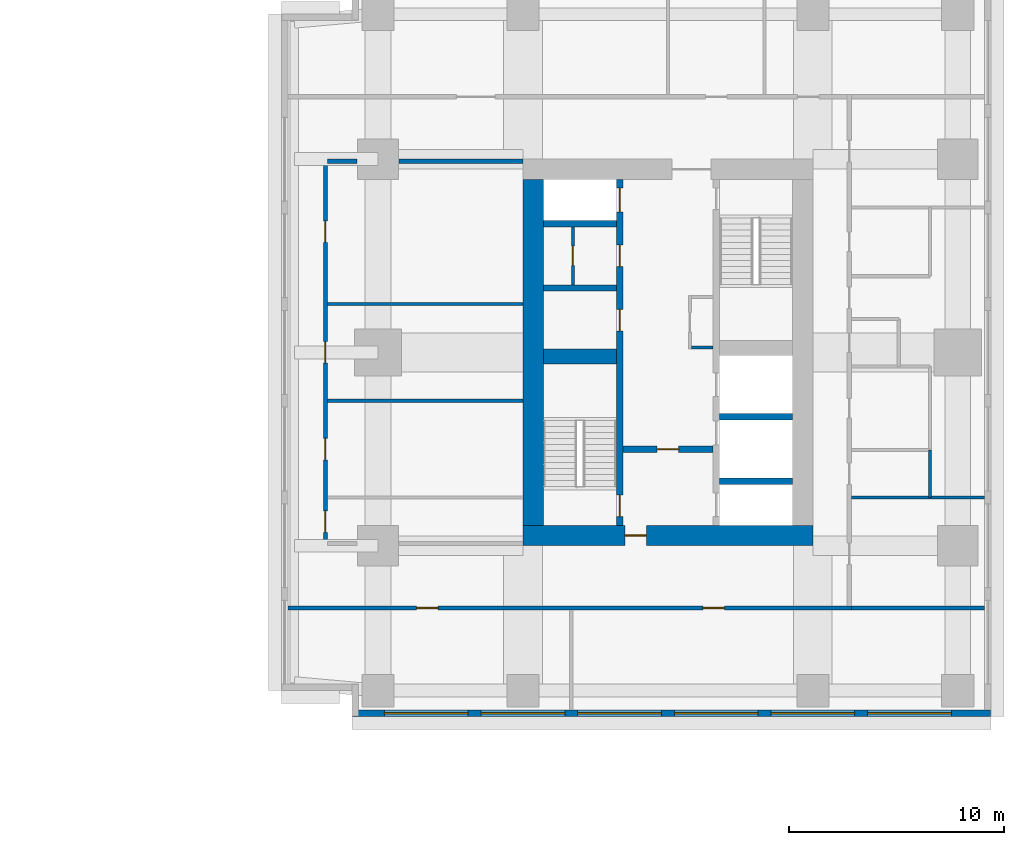
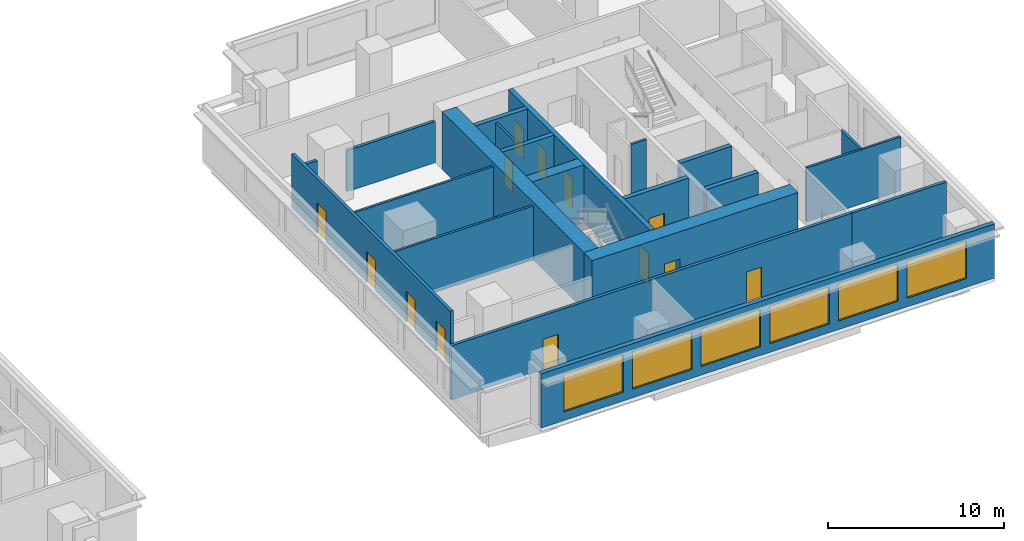
# One storey, part 6 of 10: 21 walls, 13 doors, 6 windows, 19 openings.
"""IFC4 building model written with IfcOpenShell, lengths in metres."""

import ifcopenshell
import ifcopenshell.guid

model = None  # the IFC model being written
_history = None  # IfcOwnerHistory: only IFC2X3 demands one
_inside = {}  # id of a spatial element -> (the spatial element, [elements in it])
_under = {}  # id of a project, library or spatial element -> (it, [spatial elements below it])
_declared = {}  # id of a project -> (the project, [libraries it declares])
_typed = {}  # id of a type object -> (the type object, [elements of that type])
_made_of = {}  # id of a material, layer set ... -> (it, [elements and type objects made of it])


def new_model(schema):
    """Start an empty IFC model of exactly this schema.

    Asked for "IFC4X3", IfcOpenShell would pick the latest addendum, in which some entities
    have other attributes; the version numbers below select the first issue.
    IFC2X3 requires an IfcOwnerHistory on every rooted entity: one is made here for all.
    """
    global model, _history
    if schema == "IFC4X3":
        model = ifcopenshell.file(schema_version=(4, 3, 0, 0))
    else:
        model = ifcopenshell.file(schema=schema)
    _inside.clear()
    _under.clear()
    _declared.clear()
    _typed.clear()
    _made_of.clear()
    _history = None
    if model.schema == "IFC2X3":
        org = make("IfcOrganization", Name="unknown")
        user = make(
            "IfcPersonAndOrganization",
            ThePerson=make("IfcPerson", FamilyName="unknown"),
            TheOrganization=org,
        )
        app = make(
            "IfcApplication",
            ApplicationDeveloper=org,
            Version="unknown",
            ApplicationFullName="unknown",
            ApplicationIdentifier="unknown",
        )
        _history = make(
            "IfcOwnerHistory",
            OwningUser=user,
            OwningApplication=app,
            ChangeAction="ADDED",
            CreationDate=0,
        )
    return model


def make(cls, **values):
    """One entity of the class cls with the attributes given. An attribute that is None is left unset."""
    return model.create_entity(
        cls, **{name: value for name, value in values.items() if value is not None}
    )


def rooted(cls, **values):
    """An entity with a GlobalId (a new one), such as an element, a storey or a relation."""
    return make(cls, GlobalId=ifcopenshell.guid.new(), OwnerHistory=_history, **values)


def si_unit(unit_type, name, prefix=None):
    """IfcSIUnit, for example si_unit("LENGTHUNIT", "METRE", prefix="MILLI")."""
    return make("IfcSIUnit", UnitType=unit_type, Prefix=prefix, Name=name)


def assignment(units):
    """IfcUnitAssignment: the units of a project."""
    return None if units is None else make("IfcUnitAssignment", Units=units)


def point(xyz):
    """IfcCartesianPoint."""
    return None if xyz is None else make("IfcCartesianPoint", Coordinates=xyz)


def direction(xyz):
    """IfcDirection."""
    return None if xyz is None else make("IfcDirection", DirectionRatios=xyz)


def frame(location, z_axis=None, x_axis=None):
    """IfcAxis2Placement3D, a coordinate frame: its origin and axes. An axis left out is left unset."""
    return make(
        "IfcAxis2Placement3D",
        Location=point(location),
        Axis=direction(z_axis),
        RefDirection=direction(x_axis),
    )


def frame_2d(location, x_axis=None):
    """IfcAxis2Placement2D, a coordinate frame in the plane: its origin and x axis."""
    return make(
        "IfcAxis2Placement2D", Location=point(location), RefDirection=direction(x_axis)
    )


def origin():
    """The frame at (0, 0, 0) with its axes left unset."""
    return frame((0.0, 0.0, 0.0))


def place(relative_to, where):
    """IfcLocalPlacement: puts the frame where relative to a parent placement (None: the world)."""
    return make(
        "IfcLocalPlacement", PlacementRelTo=relative_to, RelativePlacement=where
    )


def context(
    kind, dimensions, precision=None, world=None, true_north=None, identifier=None
):
    """IfcGeometricRepresentationContext, for example the 3D "Model" context."""
    return make(
        "IfcGeometricRepresentationContext",
        ContextIdentifier=identifier,
        ContextType=kind,
        CoordinateSpaceDimension=dimensions,
        Precision=precision,
        WorldCoordinateSystem=world,
        TrueNorth=true_north,
    )


def subcontext(parent, identifier, kind, view, scale=None):
    """IfcGeometricRepresentationSubContext, for example "Body" below "Model"."""
    return make(
        "IfcGeometricRepresentationSubContext",
        ContextIdentifier=identifier,
        ContextType=kind,
        ParentContext=parent,
        TargetScale=scale,
        TargetView=view,
    )


def project(units=None, contexts=None):
    """IfcProject with its units and contexts."""
    return rooted(
        "IfcProject",
        Name="project",
        RepresentationContexts=contexts,
        UnitsInContext=assignment(units),
    )


def spatial(cls, under=None, at=None, **own):
    """A site, building, storey or space (cls), placed at a placement, below another one or the project."""
    s = rooted(cls, ObjectPlacement=at, **own)
    if under is not None:
        _under.setdefault(under.id(), (under, []))[1].append(s)
    return s


def profile(cls, at=None, kind="AREA", **sizes):
    """A parametric profile (cls). Its sizes go by their IFC names, for example OverallWidth=200.0."""
    return make(cls, ProfileType=kind, Position=at, **sizes)


def rectangle(**sizes):
    """IfcRectangleProfileDef."""
    return profile("IfcRectangleProfileDef", **sizes)


def extrude(swept, where, along, depth):
    """IfcExtrudedAreaSolid: the profile swept, set in the frame where, extruded along a direction by depth."""
    return make(
        "IfcExtrudedAreaSolid",
        SweptArea=swept,
        Position=where,
        ExtrudedDirection=direction(along),
        Depth=depth,
    )


def shape(context_of_items, identifier, shape_type, items):
    """IfcShapeRepresentation: the items that make up one representation, for example the "Body"."""
    return make(
        "IfcShapeRepresentation",
        ContextOfItems=context_of_items,
        RepresentationIdentifier=identifier,
        RepresentationType=shape_type,
        Items=items,
    )


def material(Name=None, Category=None):
    """IfcMaterial."""
    return make("IfcMaterial", Name=Name, Category=Category)


def layer(
    of_material, thickness, ventilated=None, Name=None, Category=None, Priority=None
):
    """IfcMaterialLayer: one layer of a wall or slab, of a material (None: an air gap)."""
    return make(
        "IfcMaterialLayer",
        Material=of_material,
        LayerThickness=thickness,
        IsVentilated=ventilated,
        Name=Name,
        Category=Category,
        Priority=Priority,
    )


def layer_set(layers, Name=None):
    """IfcMaterialLayerSet."""
    return make("IfcMaterialLayerSet", MaterialLayers=layers, LayerSetName=Name)


def made_of(thing, what):
    """Note that an element or type object is made of a material, layer set ...; save() writes the relation."""
    if what is not None:
        _made_of.setdefault(what.id(), (what, []))[1].append(thing)
    return thing


def type_object(cls, material=None, **own):
    """A type object (cls), such as IfcWallType, which elements share."""
    return made_of(rooted(cls, **own), material)


def element(
    cls,
    number,
    at=None,
    inside=None,
    cuts=None,
    type_object=None,
    material=None,
    context=None,
    identifier="Body",
    shape_type=None,
    held_by="IfcProductDefinitionShape",
    body=None,
    shapes=None,
    **own,
):
    """One element of the class cls, such as IfcWall. Its Tag is "e" and its number.

    at: its placement. inside: the storey or other place that contains it. cuts: it is an
    opening in that element (IfcRelVoidsElement). A single representation is given by context,
    identifier, shape_type and body (its items); several are given by shapes. held_by: the class
    of the entity that holds the representations. save() writes the other relations.
    """
    e = rooted(cls, Tag="e%d" % number, ObjectPlacement=at, **own)
    if body is not None:
        shapes = [shape(context, identifier, shape_type, body)]
    if shapes is not None:
        e.Representation = make(held_by, Representations=shapes)
    if inside is not None:
        _inside.setdefault(inside.id(), (inside, []))[1].append(e)
    if cuts is not None:
        rooted(
            "IfcRelVoidsElement", RelatingBuildingElement=cuts, RelatedOpeningElement=e
        )
    if type_object is not None:
        _typed.setdefault(type_object.id(), (type_object, []))[1].append(e)
    return made_of(e, material)


def fill(opening, filler):
    """IfcRelFillsElement: the door or window that sits in an opening."""
    return rooted(
        "IfcRelFillsElement",
        RelatingOpeningElement=opening,
        RelatedBuildingElement=filler,
    )


def aggregate(whole, parts):
    """IfcRelAggregates: a whole, such as a stair, and the parts it consists of."""
    return rooted("IfcRelAggregates", RelatingObject=whole, RelatedObjects=parts)


def save(model, path):
    """Write the relations noted so far, then the file.

    IfcRelAggregates (storeys below a building ...), IfcRelContainedInSpatialStructure (elements
    in a storey), IfcRelDefinesByType, IfcRelAssociatesMaterial and IfcRelDeclares: one each for
    every whole, place, type object, material and project.
    """
    for whole, parts in _under.values():
        aggregate(whole, parts)
    for where, things in _inside.values():
        rooted(
            "IfcRelContainedInSpatialStructure",
            RelatedElements=things,
            RelatingStructure=where,
        )
    for kind, things in _typed.values():
        rooted("IfcRelDefinesByType", RelatedObjects=things, RelatingType=kind)
    for what, things in _made_of.values():
        rooted("IfcRelAssociatesMaterial", RelatedObjects=things, RelatingMaterial=what)
    for by, libraries in _declared.values():
        rooted("IfcRelDeclares", RelatingContext=by, RelatedDefinitions=libraries)
    model.write(path)


model = new_model("IFC4")

# Units and contexts
model_context = context("Model", 3, precision=1e-05, world=origin(), true_north=direction((0.0, 1.0)))
body_context = subcontext(model_context, "Body", "Model", "MODEL_VIEW")
ifc_project = project(units=[si_unit("LENGTHUNIT", "METRE"), si_unit("AREAUNIT", "SQUARE_METRE"), si_unit("VOLUMEUNIT", "CUBIC_METRE"), si_unit("PLANEANGLEUNIT", "RADIAN"), si_unit("MASSUNIT", "GRAM", prefix="KILO")], contexts=[model_context])

# Site, building, storey
site_placement = place(None, origin())
site = spatial("IfcSite", under=ifc_project, at=site_placement, CompositionType="ELEMENT")
building_placement = place(site_placement, origin())
building = spatial("IfcBuilding", under=site, at=building_placement, Name="Namib Vertical Campus", CompositionType="ELEMENT")
storey_placement = place(building_placement, frame((0.0, 0.0, 149.0)))
storey = spatial("IfcBuildingStorey", under=building, at=storey_placement, Name="L35", CompositionType="ELEMENT", Elevation=149.0)

# Wall, openings, doors
ifc_material_1 = material(Name="Concrete C60/75", Category="concrete")
ifc_layer_1 = layer(ifc_material_1, 0.300048828125)
ifc_layer_set_1 = layer_set([ifc_layer_1], Name="Concrete C60/75")
wall_type_1 = type_object("IfcWallType", Name="Core inner wall 300", PredefinedType="SHEAR", material=ifc_layer_set_1)
wall_1_placement = place(storey_placement, frame((78.75, 12.199951171875, 0.0), z_axis=(0.0, 0.0, 1.0), x_axis=(0.0, 1.0, 0.0)))
wall_1 = element("IfcWall", 1, at=wall_1_placement, inside=storey, type_object=wall_type_1, Name="Core inner wall B L35 W1", PredefinedType="SHEAR", context=body_context, shape_type="SweptSolid", body=[
    extrude(rectangle(XDim=16.10009765625, YDim=0.300048828125, at=frame_2d((8.050048828125, 0.0))), origin(), (0.0, 0.0, 1.0), 4.0),
])
opening_1_placement = place(wall_1_placement, frame((0.39990234375, 0.0, 0.0)))
opening_1 = element("IfcOpeningElement", 2, at=opening_1_placement, cuts=wall_1, Name="Opening FD1", PredefinedType="OPENING", context=body_context, shape_type="SweptSolid", body=[
    extrude(rectangle(XDim=1.0, YDim=2.10009765625, at=frame_2d((0.5, 1.050048828125))), frame((0.0, 0.159912109375, 0.0), z_axis=(0.0, -1.0, 0.0), x_axis=(1.0, 0.0, 0.0)), (0.0, 0.0, 1.0), 0.320068359375),
])
opening_2_placement = place(wall_1_placement, frame((14.60009765625, 0.0, 0.0)))
opening_2 = element("IfcOpeningElement", 3, at=opening_2_placement, cuts=wall_1, Name="Opening LD1", PredefinedType="OPENING", context=body_context, shape_type="SweptSolid", body=[
    extrude(rectangle(XDim=1.10009765625, YDim=2.10009765625, at=frame_2d((0.550048828125, 1.050048828125))), frame((0.0, 0.159912109375, 0.0), z_axis=(0.0, -1.0, 0.0), x_axis=(1.0, 0.0, 0.0)), (0.0, 0.0, 1.0), 0.320068359375),
])
opening_3_placement = place(wall_1_placement, frame((9.050048828125, 0.0, 0.0)))
opening_3 = element("IfcOpeningElement", 4, at=opening_3_placement, cuts=wall_1, Name="Opening D1", PredefinedType="OPENING", context=body_context, shape_type="SweptSolid", body=[
    extrude(rectangle(XDim=1.0, YDim=2.10009765625, at=frame_2d((0.5, 1.050048828125))), frame((0.0, 0.159912109375, 0.0), z_axis=(0.0, -1.0, 0.0), x_axis=(1.0, 0.0, 0.0)), (0.0, 0.0, 1.0), 0.320068359375),
])
opening_4_placement = place(wall_1_placement, frame((12.050048828125, 0.0, 0.0)))
opening_4 = element("IfcOpeningElement", 5, at=opening_4_placement, cuts=wall_1, Name="Opening D1", PredefinedType="OPENING", context=body_context, shape_type="SweptSolid", body=[
    extrude(rectangle(XDim=1.0, YDim=2.10009765625, at=frame_2d((0.5, 1.050048828125))), frame((0.0, 0.159912109375, 0.0), z_axis=(0.0, -1.0, 0.0), x_axis=(1.0, 0.0, 0.0)), (0.0, 0.0, 1.0), 0.320068359375),
])
ifc_material_2 = material(Name="Timber door leaf", Category="wood")
door_type_1 = type_object("IfcDoorType", Name="Door single 1000x2100", OperationType="SINGLE_SWING_LEFT", PredefinedType="DOOR", material=ifc_material_2)
door_1_placement = place(opening_3_placement, origin())
door_1 = element("IfcDoor", 6, at=door_1_placement, inside=storey, type_object=door_type_1, Name="Door D1 Comms room B L35 P1", OperationType="SINGLE_SWING_LEFT", OverallHeight=2.10009765625, OverallWidth=1.0, PredefinedType="DOOR", context=body_context, shape_type="SweptSolid", body=[
    extrude(rectangle(XDim=1.0, YDim=2.10009765625, at=frame_2d((0.5, 1.050048828125))), frame((0.0, 0.02490234375, 0.0), z_axis=(0.0, -1.0, 0.0), x_axis=(1.0, 0.0, 0.0)), (0.0, 0.0, 1.0), 0.050048828125),
])
fill(opening_3, door_1)
door_2_placement = place(opening_4_placement, origin())
door_2 = element("IfcDoor", 7, at=door_2_placement, inside=storey, type_object=door_type_1, Name="Door D1 Store B L35 P2", OperationType="SINGLE_SWING_LEFT", OverallHeight=2.10009765625, OverallWidth=1.0, PredefinedType="DOOR", context=body_context, shape_type="SweptSolid", body=[
    extrude(rectangle(XDim=1.0, YDim=2.10009765625, at=frame_2d((0.5, 1.050048828125))), frame((0.0, 0.02490234375, 0.0), z_axis=(0.0, -1.0, 0.0), x_axis=(1.0, 0.0, 0.0)), (0.0, 0.0, 1.0), 0.050048828125),
])
fill(opening_4, door_2)
ifc_material_3 = material(Name="Steel fire door", Category="steel")
door_type_2 = type_object("IfcDoorType", Name="Fire door 1000x2100", OperationType="SINGLE_SWING_RIGHT", PredefinedType="DOOR", material=ifc_material_3)
door_3_placement = place(opening_1_placement, origin())
door_3 = element("IfcDoor", 8, at=door_3_placement, inside=storey, type_object=door_type_2, Name="Stair door FD1 B L35 S1", OperationType="SINGLE_SWING_LEFT", OverallHeight=2.10009765625, OverallWidth=1.0, PredefinedType="DOOR", context=body_context, shape_type="SweptSolid", body=[
    extrude(rectangle(XDim=1.0, YDim=2.10009765625, at=frame_2d((0.5, 1.050048828125))), frame((0.0, 0.02490234375, 0.0), z_axis=(0.0, -1.0, 0.0), x_axis=(1.0, 0.0, 0.0)), (0.0, 0.0, 1.0), 0.050048828125),
])
fill(opening_1, door_3)
ifc_material_4 = material(Name="Stainless steel lift door", Category="steel")
door_type_3 = type_object("IfcDoorType", Name="Lift landing door 1100x2100", OperationType="DOUBLE_DOOR_SLIDING", PredefinedType="DOOR", material=ifc_material_4)
door_4_placement = place(opening_2_placement, origin())
door_4 = element("IfcDoor", 9, at=door_4_placement, inside=storey, type_object=door_type_3, Name="Lift landing door LD1 B-P3 L35", OperationType="DOUBLE_DOOR_SLIDING", OverallHeight=2.10009765625, OverallWidth=1.10009765625, PredefinedType="DOOR", context=body_context, shape_type="SweptSolid", body=[
    extrude(rectangle(XDim=1.10009765625, YDim=2.10009765625, at=frame_2d((0.550048828125, 1.050048828125))), frame((0.0, 0.02490234375, 0.0), z_axis=(0.0, -1.0, 0.0), x_axis=(1.0, 0.0, 0.0)), (0.0, 0.0, 1.0), 0.050048828125),
])
fill(opening_2, door_4)

# Wall, opening, door
wall_2_placement = place(storey_placement, frame((78.89990234375, 15.75, 0.0), z_axis=(0.0, 0.0, 1.0), x_axis=(1.0, 0.0, 0.0)))
wall_2 = element("IfcWall", 10, at=wall_2_placement, inside=storey, type_object=wall_type_1, Name="Core inner wall B L35 W4", PredefinedType="SHEAR", context=body_context, shape_type="SweptSolid", body=[
    extrude(rectangle(XDim=4.2001953125, YDim=0.300048828125, at=frame_2d((2.10009765625, 0.0))), origin(), (0.0, 0.0, 1.0), 4.0),
])
opening_5_placement = place(wall_2_placement, frame((1.60009765625, 0.0, 0.0)))
opening_5 = element("IfcOpeningElement", 11, at=opening_5_placement, cuts=wall_2, Name="Opening FD5", PredefinedType="OPENING", context=body_context, shape_type="SweptSolid", body=[
    extrude(rectangle(XDim=1.0, YDim=2.10009765625, at=frame_2d((0.5, 1.050048828125))), frame((0.0, 0.159912109375, 0.0), z_axis=(0.0, -1.0, 0.0), x_axis=(1.0, 0.0, 0.0)), (0.0, 0.0, 1.0), 0.320068359375),
])
ifc_material_5 = material(Name="Steel fire door", Category="steel")
door_type_4 = type_object("IfcDoorType", Name="Fire door 1000x2100 120 min", OperationType="SINGLE_SWING_RIGHT", PredefinedType="DOOR", material=ifc_material_5)
door_5_placement = place(opening_5_placement, frame((1.0, 0.0, 0.0), z_axis=(0.0, 0.0, 1.0), x_axis=(-1.0, 0.0, 0.0)))
door_5 = element("IfcDoor", 12, at=door_5_placement, inside=storey, type_object=door_type_4, Name="Lobby door FD5 B L35", OperationType="SINGLE_SWING_RIGHT", OverallHeight=2.10009765625, OverallWidth=1.0, PredefinedType="DOOR", context=body_context, shape_type="SweptSolid", body=[
    extrude(rectangle(XDim=1.0, YDim=2.10009765625, at=frame_2d((0.5, 1.050048828125))), frame((0.0, 0.02490234375, 0.0), z_axis=(0.0, -1.0, 0.0), x_axis=(1.0, 0.0, 0.0)), (0.0, 0.0, 1.0), 0.050048828125),
])
fill(opening_5, door_5)

# Walls
for number, where, z_axis, x_axis, name in (
    (13, (83.39990234375, 14.25, 0.0), (0.0, 0.0, 1.0), (1.0, 0.0, 0.0), "Core inner wall B L35 W5"),
    (14, (83.39990234375, 17.25, 0.0), (0.0, 0.0, 1.0), (1.0, 0.0, 0.0), "Core inner wall B L35 W6"),
    (15, (75.199951171875, 23.25, 0.0), (0.0, 0.0, 1.0), (1.0, 0.0, 0.0), "Core inner wall B L35 W8"),
    (16, (75.199951171875, 26.25, 0.0), (0.0, 0.0, 1.0), (1.0, 0.0, 0.0), "Core inner wall B L35 W9"),
):
    element("IfcWall", number, at=place(storey_placement, frame(where, z_axis=z_axis, x_axis=x_axis)), inside=storey, type_object=wall_type_1, Name=name, PredefinedType="SHEAR", context=body_context, shape_type="SweptSolid", body=[
        extrude(rectangle(XDim=3.400146484375, YDim=0.300048828125, at=frame_2d((1.7001953125, 0.0))), origin(), (0.0, 0.0, 1.0), 4.0),
    ])
ifc_material_6 = material(Name="Concrete C60/75", Category="concrete")
ifc_layer_2 = layer(ifc_material_6, 0.699951171875)
ifc_layer_set_2 = layer_set([ifc_layer_2], Name="Concrete C60/75")
wall_type_2 = type_object("IfcWallType", Name="Core shear wall 700", PredefinedType="SHEAR", material=ifc_layer_set_2)
wall_3_placement = place(storey_placement, frame((75.199951171875, 20.050048828125, 0.0), z_axis=(0.0, 0.0, 1.0), x_axis=(1.0, 0.0, 0.0)))
element("IfcWall", 17, at=wall_3_placement, inside=storey, type_object=wall_type_2, Name="Core shear wall B L35 W3", PredefinedType="SHEAR", context=body_context, shape_type="SweptSolid", body=[
    extrude(rectangle(XDim=3.400146484375, YDim=0.699951171875, at=frame_2d((1.7001953125, 0.0))), origin(), (0.0, 0.0, 1.0), 4.0),
])

# Wall, opening, door
ifc_material_7 = material(Name="Concrete C60/75", Category="concrete")
ifc_layer_3 = layer(ifc_material_7, 0.949951171875)
ifc_layer_set_3 = layer_set([ifc_layer_3], Name="Concrete C60/75")
wall_type_3 = type_object("IfcWallType", Name="Core wall 950", PredefinedType="SHEAR", material=ifc_layer_set_3)
wall_4_placement = place(storey_placement, frame((74.25, 11.72509765625, 0.0), z_axis=(0.0, 0.0, 1.0), x_axis=(1.0, 0.0, 0.0)))
wall_4 = element("IfcWall", 18, at=wall_4_placement, inside=storey, type_object=wall_type_3, Name="Core wall B L35 1", PredefinedType="SHEAR", context=body_context, shape_type="SweptSolid", body=[
    extrude(rectangle(XDim=13.5, YDim=0.949951171875, at=frame_2d((6.75, 0.0))), origin(), (0.0, 0.0, 1.0), 4.0),
])
opening_6_placement = place(wall_4_placement, frame((4.75, 0.0, 0.0)))
opening_6 = element("IfcOpeningElement", 19, at=opening_6_placement, cuts=wall_4, Name="Opening FD5", PredefinedType="OPENING", context=body_context, shape_type="SweptSolid", body=[
    extrude(rectangle(XDim=1.0, YDim=2.10009765625, at=frame_2d((0.5, 1.050048828125))), frame((0.0, 0.48486328125, 0.0), z_axis=(0.0, -1.0, 0.0), x_axis=(1.0, 0.0, 0.0)), (0.0, 0.0, 1.0), 0.969970703125),
])
door_6_placement = place(opening_6_placement, origin())
door_6 = element("IfcDoor", 20, at=door_6_placement, inside=storey, type_object=door_type_4, Name="Firefighting lobby door FD5 B L35", OperationType="SINGLE_SWING_LEFT", OverallHeight=2.10009765625, OverallWidth=1.0, PredefinedType="DOOR", context=body_context, shape_type="SweptSolid", body=[
    extrude(rectangle(XDim=1.0, YDim=2.10009765625, at=frame_2d((0.5, 1.050048828125))), frame((0.0, 0.02490234375, 0.0), z_axis=(0.0, -1.0, 0.0), x_axis=(1.0, 0.0, 0.0)), (0.0, 0.0, 1.0), 0.050048828125),
])
fill(opening_6, door_6)

# Wall
wall_5_placement = place(storey_placement, frame((74.72509765625, 28.300048828125, 0.0), z_axis=(0.0, 0.0, 1.0), x_axis=(0.0, -1.0, 0.0)))
element("IfcWall", 21, at=wall_5_placement, inside=storey, type_object=wall_type_3, Name="Core wall B L35 4", PredefinedType="SHEAR", context=body_context, shape_type="SweptSolid", body=[
    extrude(rectangle(XDim=16.10009765625, YDim=0.949951171875, at=frame_2d((8.050048828125, 0.0))), origin(), (0.0, 0.0, 1.0), 4.0),
])

# Wall, openings, doors
ifc_material_8 = material(Name="Concrete masonry", Category="masonry")
ifc_layer_4 = layer(ifc_material_8, 0.199951171875)
ifc_layer_set_4 = layer_set([ifc_layer_4], Name="Corridor wall 200")
wall_type_4 = type_object("IfcWallType", Name="Corridor wall 200", PredefinedType="SOLIDWALL", material=ifc_layer_set_4)
wall_6_placement = place(storey_placement, frame((63.300048828125, 8.35009765625, 0.0), z_axis=(0.0, 0.0, 1.0), x_axis=(1.0, 0.0, 0.0)))
wall_6 = element("IfcWall", 22, at=wall_6_placement, inside=storey, type_object=wall_type_4, Name="Corridor wall B L35 CS", PredefinedType="SOLIDWALL", context=body_context, shape_type="SweptSolid", body=[
    extrude(rectangle(XDim=26.25, YDim=0.199951171875, at=frame_2d((13.125, 0.0))), origin(), (0.0, 0.0, 1.0), 3.75),
])
opening_7_placement = place(wall_6_placement, frame((6.0, 0.0, 0.0)))
opening_7 = element("IfcOpeningElement", 23, at=opening_7_placement, cuts=wall_6, Name="Opening CD1", PredefinedType="OPENING", context=body_context, shape_type="SweptSolid", body=[
    extrude(rectangle(XDim=1.0, YDim=2.10009765625, at=frame_2d((0.5, 1.050048828125))), frame((0.0, 0.10986328125, 0.0), z_axis=(0.0, -1.0, 0.0), x_axis=(1.0, 0.0, 0.0)), (0.0, 0.0, 1.0), 0.219970703125),
])
opening_8_placement = place(wall_6_placement, frame((19.324951171875, 0.0, 0.0)))
opening_8 = element("IfcOpeningElement", 24, at=opening_8_placement, cuts=wall_6, Name="Opening CD1", PredefinedType="OPENING", context=body_context, shape_type="SweptSolid", body=[
    extrude(rectangle(XDim=1.0, YDim=2.10009765625, at=frame_2d((0.5, 1.050048828125))), frame((0.0, 0.10986328125, 0.0), z_axis=(0.0, -1.0, 0.0), x_axis=(1.0, 0.0, 0.0)), (0.0, 0.0, 1.0), 0.219970703125),
])
ifc_material_9 = material(Name="Timber fire door leaf", Category="wood")
door_type_5 = type_object("IfcDoorType", Name="Corridor door 1000x2100 20 min", OperationType="SINGLE_SWING_LEFT", PredefinedType="DOOR", material=ifc_material_9)
door_7_placement = place(opening_7_placement, frame((1.0, 0.0, 0.0), z_axis=(0.0, 0.0, 1.0), x_axis=(-1.0, 0.0, 0.0)))
door_7 = element("IfcDoor", 25, at=door_7_placement, inside=storey, type_object=door_type_5, Name="Door CD1 B35-01", OperationType="SINGLE_SWING_LEFT", OverallHeight=2.10009765625, OverallWidth=1.0, PredefinedType="DOOR", context=body_context, shape_type="SweptSolid", body=[
    extrude(rectangle(XDim=1.0, YDim=2.10009765625, at=frame_2d((0.5, 1.050048828125))), frame((0.0, 0.02490234375, 0.0), z_axis=(0.0, -1.0, 0.0), x_axis=(1.0, 0.0, 0.0)), (0.0, 0.0, 1.0), 0.050048828125),
])
fill(opening_7, door_7)
door_8_placement = place(opening_8_placement, frame((1.0, 0.0, 0.0), z_axis=(0.0, 0.0, 1.0), x_axis=(-1.0, 0.0, 0.0)))
door_8 = element("IfcDoor", 26, at=door_8_placement, inside=storey, type_object=door_type_5, Name="Door CD1 B35-02", OperationType="SINGLE_SWING_RIGHT", OverallHeight=2.10009765625, OverallWidth=1.0, PredefinedType="DOOR", context=body_context, shape_type="SweptSolid", body=[
    extrude(rectangle(XDim=1.0, YDim=2.10009765625, at=frame_2d((0.5, 1.050048828125))), frame((0.0, 0.02490234375, 0.0), z_axis=(0.0, -1.0, 0.0), x_axis=(1.0, 0.0, 0.0)), (0.0, 0.0, 1.0), 0.050048828125),
])
fill(opening_8, door_8)

wall_7_placement = place(storey_placement, frame((65.050048828125, 29.25, 0.0), z_axis=(0.0, 0.0, 1.0), x_axis=(0.0, -1.0, 0.0)))
wall_7 = element("IfcWall", 27, at=wall_7_placement, inside=storey, type_object=wall_type_4, Name="Corridor wall B L35 CG", PredefinedType="SOLIDWALL", context=body_context, shape_type="SweptSolid", body=[
    extrude(rectangle(XDim=18.0, YDim=0.199951171875, at=frame_2d((9.0, 0.0))), origin(), (0.0, 0.0, 1.0), 3.75),
])
opening_9_placement = place(wall_7_placement, frame((16.375, 0.0, 0.0)))
opening_9 = element("IfcOpeningElement", 28, at=opening_9_placement, cuts=wall_7, Name="Opening CD1", PredefinedType="OPENING", context=body_context, shape_type="SweptSolid", body=[
    extrude(rectangle(XDim=1.0, YDim=2.10009765625, at=frame_2d((0.5, 1.050048828125))), frame((0.0, 0.10986328125, 0.0), z_axis=(0.0, -1.0, 0.0), x_axis=(1.0, 0.0, 0.0)), (0.0, 0.0, 1.0), 0.219970703125),
])
opening_10_placement = place(wall_7_placement, frame((13.0, 0.0, 0.0)))
opening_10 = element("IfcOpeningElement", 29, at=opening_10_placement, cuts=wall_7, Name="Opening CD1", PredefinedType="OPENING", context=body_context, shape_type="SweptSolid", body=[
    extrude(rectangle(XDim=1.0, YDim=2.10009765625, at=frame_2d((0.5, 1.050048828125))), frame((0.0, 0.10986328125, 0.0), z_axis=(0.0, -1.0, 0.0), x_axis=(1.0, 0.0, 0.0)), (0.0, 0.0, 1.0), 0.219970703125),
])
opening_11_placement = place(wall_7_placement, frame((8.5, 0.0, 0.0)))
opening_11 = element("IfcOpeningElement", 30, at=opening_11_placement, cuts=wall_7, Name="Opening CD1", PredefinedType="OPENING", context=body_context, shape_type="SweptSolid", body=[
    extrude(rectangle(XDim=1.0, YDim=2.10009765625, at=frame_2d((0.5, 1.050048828125))), frame((0.0, 0.10986328125, 0.0), z_axis=(0.0, -1.0, 0.0), x_axis=(1.0, 0.0, 0.0)), (0.0, 0.0, 1.0), 0.219970703125),
])
opening_12_placement = place(wall_7_placement, frame((2.875, 0.0, 0.0)))
opening_12 = element("IfcOpeningElement", 31, at=opening_12_placement, cuts=wall_7, Name="Opening CD1", PredefinedType="OPENING", context=body_context, shape_type="SweptSolid", body=[
    extrude(rectangle(XDim=1.0, YDim=2.10009765625, at=frame_2d((0.5, 1.050048828125))), frame((0.0, 0.10986328125, 0.0), z_axis=(0.0, -1.0, 0.0), x_axis=(1.0, 0.0, 0.0)), (0.0, 0.0, 1.0), 0.219970703125),
])
door_9_placement = place(opening_9_placement, origin())
door_9 = element("IfcDoor", 32, at=door_9_placement, inside=storey, type_object=door_type_5, Name="Door CD1 B35-13", OperationType="SINGLE_SWING_LEFT", OverallHeight=2.10009765625, OverallWidth=1.0, PredefinedType="DOOR", context=body_context, shape_type="SweptSolid", body=[
    extrude(rectangle(XDim=1.0, YDim=2.10009765625, at=frame_2d((0.5, 1.050048828125))), frame((0.0, 0.02490234375, 0.0), z_axis=(0.0, -1.0, 0.0), x_axis=(1.0, 0.0, 0.0)), (0.0, 0.0, 1.0), 0.050048828125),
])
fill(opening_9, door_9)
door_10_placement = place(opening_10_placement, origin())
door_10 = element("IfcDoor", 33, at=door_10_placement, inside=storey, type_object=door_type_5, Name="Door CD1 B35-14", OperationType="SINGLE_SWING_LEFT", OverallHeight=2.10009765625, OverallWidth=1.0, PredefinedType="DOOR", context=body_context, shape_type="SweptSolid", body=[
    extrude(rectangle(XDim=1.0, YDim=2.10009765625, at=frame_2d((0.5, 1.050048828125))), frame((0.0, 0.02490234375, 0.0), z_axis=(0.0, -1.0, 0.0), x_axis=(1.0, 0.0, 0.0)), (0.0, 0.0, 1.0), 0.050048828125),
])
fill(opening_10, door_10)
door_11_placement = place(opening_11_placement, origin())
door_11 = element("IfcDoor", 34, at=door_11_placement, inside=storey, type_object=door_type_5, Name="Door CD1 B35-15", OperationType="SINGLE_SWING_LEFT", OverallHeight=2.10009765625, OverallWidth=1.0, PredefinedType="DOOR", context=body_context, shape_type="SweptSolid", body=[
    extrude(rectangle(XDim=1.0, YDim=2.10009765625, at=frame_2d((0.5, 1.050048828125))), frame((0.0, 0.02490234375, 0.0), z_axis=(0.0, -1.0, 0.0), x_axis=(1.0, 0.0, 0.0)), (0.0, 0.0, 1.0), 0.050048828125),
])
fill(opening_11, door_11)
door_12_placement = place(opening_12_placement, origin())
door_12 = element("IfcDoor", 35, at=door_12_placement, inside=storey, type_object=door_type_5, Name="Door CD1 B35-16", OperationType="SINGLE_SWING_LEFT", OverallHeight=2.10009765625, OverallWidth=1.0, PredefinedType="DOOR", context=body_context, shape_type="SweptSolid", body=[
    extrude(rectangle(XDim=1.0, YDim=2.10009765625, at=frame_2d((0.5, 1.050048828125))), frame((0.0, 0.02490234375, 0.0), z_axis=(0.0, -1.0, 0.0), x_axis=(1.0, 0.0, 0.0)), (0.0, 0.0, 1.0), 0.050048828125),
])
fill(opening_12, door_12)

# Walls
wall_8_placement = place(storey_placement, frame((65.14990234375, 29.14990234375, 0.0), z_axis=(0.0, 0.0, 1.0), x_axis=(1.0, 0.0, 0.0)))
element("IfcWall", 36, at=wall_8_placement, inside=storey, type_object=wall_type_4, Name="Corridor wall B L35 GN", PredefinedType="SOLIDWALL", context=body_context, shape_type="SweptSolid", body=[
    extrude(rectangle(XDim=1.380126953125, YDim=0.199951171875, at=frame_2d((0.68994140625, 0.0))), origin(), (0.0, 0.0, 1.0), 2.85009765625),
])
wall_9_placement = place(storey_placement, frame((68.469970703125, 29.14990234375, 0.0), z_axis=(0.0, 0.0, 1.0), x_axis=(1.0, 0.0, 0.0)))
element("IfcWall", 37, at=wall_9_placement, inside=storey, type_object=wall_type_4, Name="Corridor wall B L35 GN", PredefinedType="SOLIDWALL", context=body_context, shape_type="SweptSolid", body=[
    extrude(rectangle(XDim=5.780029296875, YDim=0.199951171875, at=frame_2d((2.89013671875, 0.0))), origin(), (0.0, 0.0, 1.0), 2.85009765625),
])
wall_10_placement = place(storey_placement, frame((89.550048828125, 8.35009765625, 0.0), z_axis=(0.0, 0.0, 1.0), x_axis=(1.0, 0.0, 0.0)))
element("IfcWall", 38, at=wall_10_placement, inside=storey, type_object=wall_type_4, Name="Partition B L35 BSE", PredefinedType="SOLIDWALL", context=body_context, shape_type="SweptSolid", body=[
    extrude(rectangle(XDim=6.199951171875, YDim=0.199951171875, at=frame_2d((3.10009765625, 0.0))), origin(), (0.0, 0.0, 1.0), 3.75),
])

# Wall, openings, windows
ifc_material_10 = material(Name="Concrete C40/50", Category="concrete")
ifc_layer_5 = layer(ifc_material_10, 0.300048828125)
ifc_layer_set_5 = layer_set([ifc_layer_5], Name="Concrete C40/50")
wall_type_5 = type_object("IfcWallType", Name="External wall 300 board-marked concrete", PredefinedType="STANDARD", material=ifc_layer_set_5)
wall_11_placement = place(storey_placement, frame((66.320068359375, 3.449951171875, 0.0), z_axis=(0.0, 0.0, 1.0), x_axis=(1.0, 0.0, 0.0)))
wall_11 = element("IfcWall", 39, at=wall_11_placement, inside=storey, type_object=wall_type_5, Name="External wall L35 F03", PredefinedType="STANDARD", context=body_context, shape_type="SweptSolid", body=[
    extrude(rectangle(XDim=29.7099609375, YDim=0.300048828125, at=frame_2d((14.85498046875, 0.0))), origin(), (0.0, 0.0, 1.0), 3.75),
])
opening_13_placement = place(wall_11_placement, frame((1.47998046875, 0.0, 0.60009765625)))
opening_13 = element("IfcOpeningElement", 40, at=opening_13_placement, cuts=wall_11, Name="Opening W2", PredefinedType="OPENING", context=body_context, shape_type="SweptSolid", body=[
    extrude(rectangle(XDim=3.89990234375, YDim=2.60009765625, at=frame_2d((1.949951171875, 1.300048828125))), frame((0.0, 0.159912109375, 0.0), z_axis=(0.0, -1.0, 0.0), x_axis=(1.0, 0.0, 0.0)), (0.0, 0.0, 1.0), 0.320068359375),
])
opening_14_placement = place(wall_11_placement, frame((5.97998046875, 0.0, 0.60009765625)))
opening_14 = element("IfcOpeningElement", 41, at=opening_14_placement, cuts=wall_11, Name="Opening W2", PredefinedType="OPENING", context=body_context, shape_type="SweptSolid", body=[
    extrude(rectangle(XDim=3.89990234375, YDim=2.60009765625, at=frame_2d((1.949951171875, 1.300048828125))), frame((0.0, 0.159912109375, 0.0), z_axis=(0.0, -1.0, 0.0), x_axis=(1.0, 0.0, 0.0)), (0.0, 0.0, 1.0), 0.320068359375),
])
opening_15_placement = place(wall_11_placement, frame((10.47998046875, 0.0, 0.60009765625)))
opening_15 = element("IfcOpeningElement", 42, at=opening_15_placement, cuts=wall_11, Name="Opening W2", PredefinedType="OPENING", context=body_context, shape_type="SweptSolid", body=[
    extrude(rectangle(XDim=3.89990234375, YDim=2.60009765625, at=frame_2d((1.949951171875, 1.300048828125))), frame((0.0, 0.159912109375, 0.0), z_axis=(0.0, -1.0, 0.0), x_axis=(1.0, 0.0, 0.0)), (0.0, 0.0, 1.0), 0.320068359375),
])
opening_16_placement = place(wall_11_placement, frame((14.97998046875, 0.0, 0.60009765625)))
opening_16 = element("IfcOpeningElement", 43, at=opening_16_placement, cuts=wall_11, Name="Opening W2", PredefinedType="OPENING", context=body_context, shape_type="SweptSolid", body=[
    extrude(rectangle(XDim=3.89990234375, YDim=2.60009765625, at=frame_2d((1.949951171875, 1.300048828125))), frame((0.0, 0.159912109375, 0.0), z_axis=(0.0, -1.0, 0.0), x_axis=(1.0, 0.0, 0.0)), (0.0, 0.0, 1.0), 0.320068359375),
])
opening_17_placement = place(wall_11_placement, frame((19.47998046875, 0.0, 0.60009765625)))
opening_17 = element("IfcOpeningElement", 44, at=opening_17_placement, cuts=wall_11, Name="Opening W2", PredefinedType="OPENING", context=body_context, shape_type="SweptSolid", body=[
    extrude(rectangle(XDim=3.89990234375, YDim=2.60009765625, at=frame_2d((1.949951171875, 1.300048828125))), frame((0.0, 0.159912109375, 0.0), z_axis=(0.0, -1.0, 0.0), x_axis=(1.0, 0.0, 0.0)), (0.0, 0.0, 1.0), 0.320068359375),
])
opening_18_placement = place(wall_11_placement, frame((23.97998046875, 0.0, 0.60009765625)))
opening_18 = element("IfcOpeningElement", 45, at=opening_18_placement, cuts=wall_11, Name="Opening W2", PredefinedType="OPENING", context=body_context, shape_type="SweptSolid", body=[
    extrude(rectangle(XDim=3.89990234375, YDim=2.60009765625, at=frame_2d((1.949951171875, 1.300048828125))), frame((0.0, 0.159912109375, 0.0), z_axis=(0.0, -1.0, 0.0), x_axis=(1.0, 0.0, 0.0)), (0.0, 0.0, 1.0), 0.320068359375),
])
ifc_material_11 = material(Name="Dark tinted glass in black aluminium frame", Category="aluminium")
window_type = type_object("IfcWindowType", Name="Ribbon window 3900x2600", PartitioningType="SINGLE_PANEL", PredefinedType="WINDOW", material=ifc_material_11)
window_1_placement = place(opening_13_placement, origin())
window_1 = element("IfcWindow", 46, at=window_1_placement, inside=storey, type_object=window_type, Name="Window W2 L35 F03-1", OverallHeight=2.60009765625, OverallWidth=3.89990234375, PartitioningType="SINGLE_PANEL", PredefinedType="WINDOW", context=body_context, shape_type="SweptSolid", body=[
    extrude(rectangle(XDim=3.89990234375, YDim=2.60009765625, at=frame_2d((1.949951171875, 1.300048828125))), frame((0.0, 0.030029296875, 0.0), z_axis=(0.0, -1.0, 0.0), x_axis=(1.0, 0.0, 0.0)), (0.0, 0.0, 1.0), 0.06005859375),
])
fill(opening_13, window_1)
window_2_placement = place(opening_14_placement, origin())
window_2 = element("IfcWindow", 47, at=window_2_placement, inside=storey, type_object=window_type, Name="Window W2 L35 F03-2", OverallHeight=2.60009765625, OverallWidth=3.89990234375, PartitioningType="SINGLE_PANEL", PredefinedType="WINDOW", context=body_context, shape_type="SweptSolid", body=[
    extrude(rectangle(XDim=3.89990234375, YDim=2.60009765625, at=frame_2d((1.949951171875, 1.300048828125))), frame((0.0, 0.030029296875, 0.0), z_axis=(0.0, -1.0, 0.0), x_axis=(1.0, 0.0, 0.0)), (0.0, 0.0, 1.0), 0.06005859375),
])
fill(opening_14, window_2)
window_3_placement = place(opening_15_placement, origin())
window_3 = element("IfcWindow", 48, at=window_3_placement, inside=storey, type_object=window_type, Name="Window W2 L35 F03-3", OverallHeight=2.60009765625, OverallWidth=3.89990234375, PartitioningType="SINGLE_PANEL", PredefinedType="WINDOW", context=body_context, shape_type="SweptSolid", body=[
    extrude(rectangle(XDim=3.89990234375, YDim=2.60009765625, at=frame_2d((1.949951171875, 1.300048828125))), frame((0.0, 0.030029296875, 0.0), z_axis=(0.0, -1.0, 0.0), x_axis=(1.0, 0.0, 0.0)), (0.0, 0.0, 1.0), 0.06005859375),
])
fill(opening_15, window_3)
window_4_placement = place(opening_16_placement, origin())
window_4 = element("IfcWindow", 49, at=window_4_placement, inside=storey, type_object=window_type, Name="Window W2 L35 F03-4", OverallHeight=2.60009765625, OverallWidth=3.89990234375, PartitioningType="SINGLE_PANEL", PredefinedType="WINDOW", context=body_context, shape_type="SweptSolid", body=[
    extrude(rectangle(XDim=3.89990234375, YDim=2.60009765625, at=frame_2d((1.949951171875, 1.300048828125))), frame((0.0, 0.030029296875, 0.0), z_axis=(0.0, -1.0, 0.0), x_axis=(1.0, 0.0, 0.0)), (0.0, 0.0, 1.0), 0.06005859375),
])
fill(opening_16, window_4)
window_5_placement = place(opening_17_placement, origin())
window_5 = element("IfcWindow", 50, at=window_5_placement, inside=storey, type_object=window_type, Name="Window W2 L35 F03-5", OverallHeight=2.60009765625, OverallWidth=3.89990234375, PartitioningType="SINGLE_PANEL", PredefinedType="WINDOW", context=body_context, shape_type="SweptSolid", body=[
    extrude(rectangle(XDim=3.89990234375, YDim=2.60009765625, at=frame_2d((1.949951171875, 1.300048828125))), frame((0.0, 0.030029296875, 0.0), z_axis=(0.0, -1.0, 0.0), x_axis=(1.0, 0.0, 0.0)), (0.0, 0.0, 1.0), 0.06005859375),
])
fill(opening_17, window_5)
window_6_placement = place(opening_18_placement, origin())
window_6 = element("IfcWindow", 51, at=window_6_placement, inside=storey, type_object=window_type, Name="Window W2 L35 F03-6", OverallHeight=2.60009765625, OverallWidth=3.89990234375, PartitioningType="SINGLE_PANEL", PredefinedType="WINDOW", context=body_context, shape_type="SweptSolid", body=[
    extrude(rectangle(XDim=3.89990234375, YDim=2.60009765625, at=frame_2d((1.949951171875, 1.300048828125))), frame((0.0, 0.030029296875, 0.0), z_axis=(0.0, -1.0, 0.0), x_axis=(1.0, 0.0, 0.0)), (0.0, 0.0, 1.0), 0.06005859375),
])
fill(opening_18, window_6)

# Wall
ifc_material_12 = material(Name="Gypsum board on steel studs", Category="steel")
ifc_layer_6 = layer(ifc_material_12, 0.14990234375)
ifc_layer_set_6 = layer_set([ifc_layer_6], Name="Gypsum board on steel studs")
wall_type_6 = type_object("IfcWallType", Name="Partition 150", PredefinedType="PARTITIONING", material=ifc_layer_set_6)
wall_12_placement = place(storey_placement, frame((82.10009765625, 20.47509765625, 0.0), z_axis=(0.0, 0.0, 1.0), x_axis=(1.0, 0.0, 0.0)))
element("IfcWall", 52, at=wall_12_placement, inside=storey, type_object=wall_type_6, Name="Partition B L35 Cleaners' store end 1", PredefinedType="PARTITIONING", context=body_context, shape_type="SweptSolid", body=[
    extrude(rectangle(XDim=1.0, YDim=0.14990234375, at=frame_2d((0.5, 0.0))), origin(), (0.0, 0.0, 1.0), 3.75),
])

# Wall, opening, door
wall_13_placement = place(storey_placement, frame((76.574951171875, 23.39990234375, 0.0), z_axis=(0.0, 0.0, 1.0), x_axis=(0.0, 1.0, 0.0)))
wall_13 = element("IfcWall", 53, at=wall_13_placement, inside=storey, type_object=wall_type_6, Name="Partition B L35 Store P2 back", PredefinedType="PARTITIONING", context=body_context, shape_type="SweptSolid", body=[
    extrude(rectangle(XDim=2.7001953125, YDim=0.14990234375, at=frame_2d((1.35009765625, 0.0))), origin(), (0.0, 0.0, 1.0), 3.75),
])
opening_19_placement = place(wall_13_placement, frame((0.89990234375, 0.0, 0.0)))
opening_19 = element("IfcOpeningElement", 54, at=opening_19_placement, cuts=wall_13, Name="Opening D3", PredefinedType="OPENING", context=body_context, shape_type="SweptSolid", body=[
    extrude(rectangle(XDim=0.89990234375, YDim=2.10009765625, at=frame_2d((0.449951171875, 1.050048828125))), frame((0.0, 0.0849609375, 0.0), z_axis=(0.0, -1.0, 0.0), x_axis=(1.0, 0.0, 0.0)), (0.0, 0.0, 1.0), 0.169921875),
])
ifc_material_13 = material(Name="Timber door leaf", Category="wood")
door_type_6 = type_object("IfcDoorType", Name="Toilet door 900x2100", OperationType="SINGLE_SWING_LEFT", PredefinedType="DOOR", material=ifc_material_13)
door_13_placement = place(opening_19_placement, origin())
door_13 = element("IfcDoor", 55, at=door_13_placement, inside=storey, type_object=door_type_6, Name="Door D3 Store B L35 P2", OperationType="SINGLE_SWING_LEFT", OverallHeight=2.10009765625, OverallWidth=0.89990234375, PredefinedType="DOOR", context=body_context, shape_type="SweptSolid", body=[
    extrude(rectangle(XDim=0.89990234375, YDim=2.10009765625, at=frame_2d((0.449951171875, 1.050048828125))), frame((0.0, 0.02490234375, 0.0), z_axis=(0.0, -1.0, 0.0), x_axis=(1.0, 0.0, 0.0)), (0.0, 0.0, 1.0), 0.050048828125),
])
fill(opening_19, door_13)

# Walls
wall_14_placement = place(storey_placement, frame((89.550048828125, 13.5, 0.0), z_axis=(0.0, 0.0, 1.0), x_axis=(1.0, 0.0, 0.0)))
element("IfcWall", 56, at=wall_14_placement, inside=storey, type_object=wall_type_6, Name="Partition B L35 PE1", PredefinedType="PARTITIONING", context=body_context, shape_type="SweptSolid", body=[
    extrude(rectangle(XDim=6.199951171875, YDim=0.14990234375, at=frame_2d((3.10009765625, 0.0))), origin(), (0.0, 0.0, 1.0), 3.75),
])
for number, where, z_axis, x_axis, name in (
    (57, (65.14990234375, 18.0, 0.0), (0.0, 0.0, 1.0), (1.0, 0.0, 0.0), "Partition B L35 PW2"),
    (58, (65.14990234375, 22.5, 0.0), (0.0, 0.0, 1.0), (1.0, 0.0, 0.0), "Partition B L35 PW3"),
):
    element("IfcWall", number, at=place(storey_placement, frame(where, z_axis=z_axis, x_axis=x_axis)), inside=storey, type_object=wall_type_6, Name=name, PredefinedType="PARTITIONING", context=body_context, shape_type="SweptSolid", body=[
        extrude(rectangle(XDim=9.10009765625, YDim=0.14990234375, at=frame_2d((4.550048828125, 0.0))), origin(), (0.0, 0.0, 1.0), 3.75),
    ])
wall_15_placement = place(storey_placement, frame((93.199951171875, 13.5, 0.0), z_axis=(0.0, 0.0, 1.0), x_axis=(0.0, 1.0, 0.0)))
element("IfcWall", 59, at=wall_15_placement, inside=storey, type_object=wall_type_6, Name="Partition B L35 WB1", PredefinedType="PARTITIONING", context=body_context, shape_type="SweptSolid", body=[
    extrude(rectangle(XDim=2.199951171875, YDim=0.14990234375, at=frame_2d((1.10009765625, 0.0))), origin(), (0.0, 0.0, 1.0), 3.75),
])

save(model, "model.ifc")
